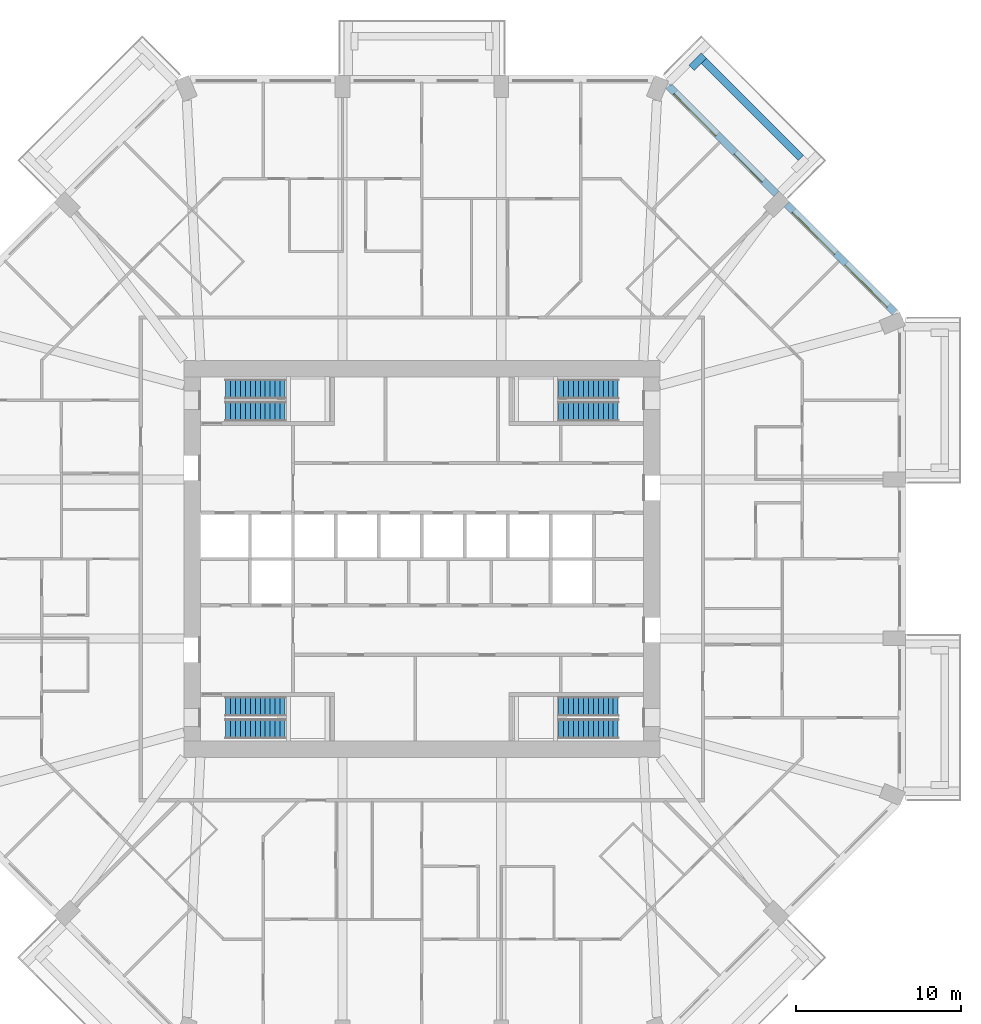
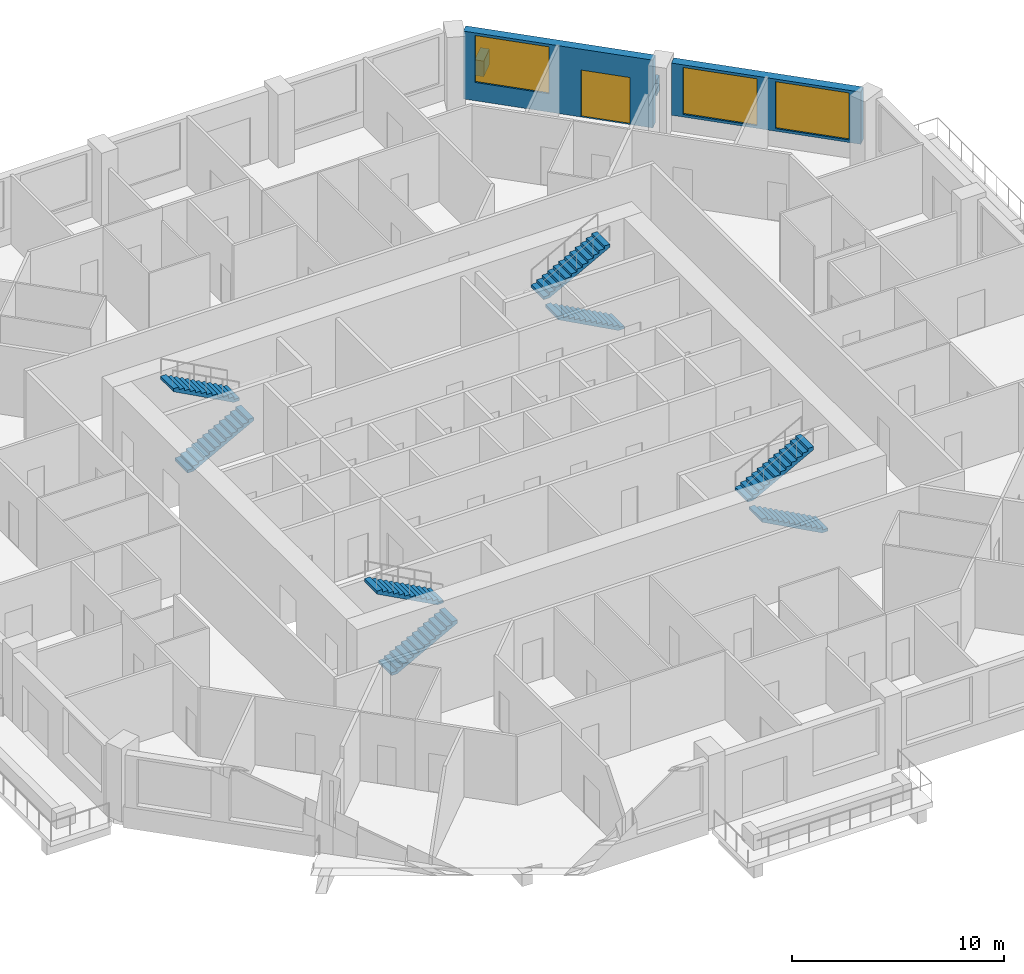
# One storey, part 11 of 13: 8 stair flights, 4 walls, 3 windows, 1 door, 4 openings, 4 elements without a shape of their own.
"""IFC4 building model written with IfcOpenShell, lengths in metres."""

from ifc_helpers import new_model, si_unit, direction, frame, frame_2d, origin, place, context, subcontext, project, spatial, polyline, rectangle, outline, extrude, material, layer, layer_set, type_object, element, fill, aggregate, save


model = new_model("IFC4")

# Units and contexts
model_context = context("Model", 3, precision=1e-05, world=origin(), true_north=direction((0.0, 1.0)))
body_context = subcontext(model_context, "Body", "Model", "MODEL_VIEW")
ifc_project = project(units=[si_unit("LENGTHUNIT", "METRE"), si_unit("AREAUNIT", "SQUARE_METRE"), si_unit("VOLUMEUNIT", "CUBIC_METRE"), si_unit("PLANEANGLEUNIT", "RADIAN"), si_unit("MASSUNIT", "GRAM", prefix="KILO")], contexts=[model_context])

# Site, building, storey
site_placement = place(None, origin())
site = spatial("IfcSite", under=ifc_project, at=site_placement, CompositionType="ELEMENT")
building_placement = place(site_placement, origin())
building = spatial("IfcBuilding", under=site, at=building_placement, Name="Msitu Wima Residences", CompositionType="ELEMENT")
storey_placement = place(building_placement, frame((0.0, 0.0, 29.699951171875)))
storey = spatial("IfcBuildingStorey", under=building, at=storey_placement, Name="L06", CompositionType="ELEMENT", Elevation=29.699951171875)

# Walls
ifc_material_1 = material(Name="Facing brick")
ifc_layer_1 = layer(ifc_material_1, 0.06494140625, Name="Facing brick")
ifc_material_2 = material(Name="Concrete C40/50", Category="concrete")
ifc_layer_2 = layer(ifc_material_2, 0.156005859375, Name="Concrete C40/50")
ifc_material_3 = material(Name="Waterproofing membrane")
ifc_layer_3 = layer(ifc_material_3, 0.00390625, Name="Waterproofing membrane")
ifc_material_4 = material(Name="Planting soil and planting")
ifc_layer_4 = layer(ifc_material_4, 0.22509765625, Name="Planting soil and planting")
ifc_layer_set_1 = layer_set([ifc_layer_1, ifc_layer_2, ifc_layer_3, ifc_layer_4], Name="Concrete C40/50")
wall_type_1 = type_object("IfcWallType", Name="Balcony planter PLANTER PL450", PredefinedType="USERDEFINED", material=ifc_layer_set_1)
wall_1_placement = place(storey_placement, frame((22.92578125, 24.269287109375, 0.0), z_axis=(0.0, 0.0, 1.0), x_axis=(-0.707106781187, 0.707106781187, 0.0)))
element("IfcWall", 1, at=wall_1_placement, inside=storey, type_object=wall_type_1, Name="Balcony planter NE1 L06", ObjectType="PLANTER", PredefinedType="USERDEFINED", context=body_context, shape_type="SweptSolid", body=[
    extrude(rectangle(XDim=8.2822265625, YDim=0.449951171875, at=frame_2d((4.14111328125, 0.0))), origin(), (0.0, 0.0, 1.0), 0.900146484375),
])
wall_2_placement = place(storey_placement, frame((16.326904296875, 29.70166015625, 0.0), z_axis=(0.0, 0.0, 1.0), x_axis=(0.707106781187, 0.707106781187, 0.0)))
element("IfcWall", 2, at=wall_2_placement, inside=storey, type_object=wall_type_1, Name="Balcony planter NE1 L06", ObjectType="PLANTER", PredefinedType="USERDEFINED", context=body_context, shape_type="SweptSolid", body=[
    extrude(rectangle(XDim=1.050048828125, YDim=0.449951171875, at=frame_2d((0.52490234375, 0.0))), origin(), (0.0, 0.0, 1.0), 0.900146484375),
])

# Wall, openings, windows
ifc_material_5 = material(Name="Brick (red buff mix)", Category="masonry")
ifc_layer_5 = layer(ifc_material_5, 0.449951171875)
ifc_layer_set_2 = layer_set([ifc_layer_5], Name="Brick (red buff mix)")
wall_type_2 = type_object("IfcWallType", Name="Brick infill wall BW450", PredefinedType="SOLIDWALL", material=ifc_layer_set_2)
wall_3_placement = place(storey_placement, frame((28.61474609375, 14.903564453125, 0.900146484375), z_axis=(0.0, 0.0, 1.0), x_axis=(-0.707106781187, 0.707106781187, 0.0)))
wall_3 = element("IfcWall", 3, at=wall_3_placement, inside=storey, type_object=wall_type_2, Name="Brick infill wall L06 NE0", PredefinedType="SOLIDWALL", context=body_context, shape_type="SweptSolid", body=[
    extrude(rectangle(XDim=9.2451171875, YDim=0.449951171875, at=frame_2d((4.62255859375, 0.0))), origin(), (0.0, 0.0, 1.0), 3.0),
])
opening_1_placement = place(wall_3_placement, frame((0.572509765625, 0.0, 0.14990234375)))
opening_1 = element("IfcOpeningElement", 4, at=opening_1_placement, cuts=wall_3, Name="Opening W05-07.010", PredefinedType="OPENING", context=body_context, shape_type="SweptSolid", body=[
    extrude(rectangle(XDim=3.60009765625, YDim=2.699951171875, at=frame_2d((1.800048828125, 1.35009765625))), frame((0.0, 0.23486328125, 0.0), z_axis=(0.0, -1.0, 0.0), x_axis=(1.0, 0.0, 0.0)), (0.0, 0.0, 1.0), 0.469970703125),
])
opening_2_placement = place(wall_3_placement, frame((5.072509765625, 0.0, 0.14990234375)))
opening_2 = element("IfcOpeningElement", 5, at=opening_2_placement, cuts=wall_3, Name="Opening W05-07.011", PredefinedType="OPENING", context=body_context, shape_type="SweptSolid", body=[
    extrude(rectangle(XDim=3.60009765625, YDim=2.699951171875, at=frame_2d((1.800048828125, 1.35009765625))), frame((0.0, 0.23486328125, 0.0), z_axis=(0.0, -1.0, 0.0), x_axis=(1.0, 0.0, 0.0)), (0.0, 0.0, 1.0), 0.469970703125),
])
ifc_material_6 = material(Name="Anodised aluminium, bronze finish, clear low-emissivity double glazing", Category="aluminium")
window_type = type_object("IfcWindowType", Name="Window W3600x2700", PartitioningType="DOUBLE_PANEL_VERTICAL", PredefinedType="WINDOW", material=ifc_material_6)
window_1_placement = place(opening_1_placement, origin())
window_1 = element("IfcWindow", 6, at=window_1_placement, inside=storey, type_object=window_type, Name="Window L06 NE0.1", OverallHeight=2.699951171875, OverallWidth=3.60009765625, PartitioningType="SINGLE_PANEL", PredefinedType="WINDOW", context=body_context, shape_type="SweptSolid", body=[
    extrude(rectangle(XDim=3.60009765625, YDim=2.699951171875, at=frame_2d((1.800048828125, 1.35009765625))), frame((0.0, 0.135009765625, 0.0), z_axis=(0.0, -1.0, 0.0), x_axis=(1.0, 0.0, 0.0)), (0.0, 0.0, 1.0), 0.06005859375),
])
fill(opening_1, window_1)
window_2_placement = place(opening_2_placement, origin())
window_2 = element("IfcWindow", 7, at=window_2_placement, inside=storey, type_object=window_type, Name="Window L06 NE0.2", OverallHeight=2.699951171875, OverallWidth=3.60009765625, PartitioningType="SINGLE_PANEL", PredefinedType="WINDOW", context=body_context, shape_type="SweptSolid", body=[
    extrude(rectangle(XDim=3.60009765625, YDim=2.699951171875, at=frame_2d((1.800048828125, 1.35009765625))), frame((0.0, 0.135009765625, 0.0), z_axis=(0.0, -1.0, 0.0), x_axis=(1.0, 0.0, 0.0)), (0.0, 0.0, 1.0), 0.06005859375),
])
fill(opening_2, window_2)

# Wall, openings, door, window
wall_4_placement = place(storey_placement, frame((21.44091796875, 22.077392578125, 0.0), z_axis=(0.0, 0.0, 1.0), x_axis=(-0.707106781187, 0.707106781187, 0.0)))
wall_4 = element("IfcWall", 8, at=wall_4_placement, inside=storey, type_object=wall_type_2, Name="Brick infill wall L06 NE1", PredefinedType="SOLIDWALL", context=body_context, shape_type="SweptSolid", body=[
    extrude(rectangle(XDim=9.2451171875, YDim=0.449951171875, at=frame_2d((4.62255859375, 0.0))), origin(), (0.0, 0.0, 1.0), 3.900146484375),
])
opening_3_placement = place(wall_4_placement, frame((1.111328125, 0.0, 0.0)))
opening_3 = element("IfcOpeningElement", 9, at=opening_3_placement, cuts=wall_4, Name="Opening D05-07.004", PredefinedType="OPENING", context=body_context, shape_type="SweptSolid", body=[
    extrude(rectangle(XDim=2.39990234375, YDim=2.699951171875, at=frame_2d((1.199951171875, 1.35009765625))), frame((0.0, 0.23486328125, 0.0), z_axis=(0.0, -1.0, 0.0), x_axis=(1.0, 0.0, 0.0)), (0.0, 0.0, 1.0), 0.469970703125),
])
opening_4_placement = place(wall_4_placement, frame((5.072509765625, 0.0, 1.050048828125)))
opening_4 = element("IfcOpeningElement", 10, at=opening_4_placement, cuts=wall_4, Name="Opening W05-07.012", PredefinedType="OPENING", context=body_context, shape_type="SweptSolid", body=[
    extrude(rectangle(XDim=3.60009765625, YDim=2.699951171875, at=frame_2d((1.800048828125, 1.35009765625))), frame((0.0, 0.23486328125, 0.0), z_axis=(0.0, -1.0, 0.0), x_axis=(1.0, 0.0, 0.0)), (0.0, 0.0, 1.0), 0.469970703125),
])
door_type = type_object("IfcDoorType", Name="Balcony door D2400x2700", OperationType="SLIDING_TO_LEFT", PredefinedType="DOOR", material=ifc_material_6)
door_placement = place(opening_3_placement, origin())
door = element("IfcDoor", 11, at=door_placement, inside=storey, type_object=door_type, Name="Balcony door L06 NE1", OperationType="SINGLE_SWING_LEFT", OverallHeight=2.699951171875, OverallWidth=2.39990234375, PredefinedType="DOOR", context=body_context, shape_type="SweptSolid", body=[
    extrude(rectangle(XDim=2.39990234375, YDim=2.699951171875, at=frame_2d((1.199951171875, 1.35009765625))), frame((0.0, 0.1298828125, 0.0), z_axis=(0.0, -1.0, 0.0), x_axis=(1.0, 0.0, 0.0)), (0.0, 0.0, 1.0), 0.050048828125),
])
fill(opening_3, door)
window_3_placement = place(opening_4_placement, origin())
window_3 = element("IfcWindow", 12, at=window_3_placement, inside=storey, type_object=window_type, Name="Window L06 NE1.2", OverallHeight=2.699951171875, OverallWidth=3.60009765625, PartitioningType="SINGLE_PANEL", PredefinedType="WINDOW", context=body_context, shape_type="SweptSolid", body=[
    extrude(rectangle(XDim=3.60009765625, YDim=2.699951171875, at=frame_2d((1.800048828125, 1.35009765625))), frame((0.0, 0.135009765625, 0.0), z_axis=(0.0, -1.0, 0.0), x_axis=(1.0, 0.0, 0.0)), (0.0, 0.0, 1.0), 0.06005859375),
])
fill(opening_4, window_3)

# Stair, stair flights
stair_type = type_object("IfcStairType", Name="Exit stair ES1615-120", PredefinedType="HALF_TURN_STAIR", material=ifc_material_2)
stair_1_placement = place(storey_placement, origin())
stair_1 = element("IfcStair", 13, at=stair_1_placement, inside=storey, type_object=stair_type, Name="Exit stair 1", PredefinedType="HALF_TURN_STAIR")
stair_flight_type = type_object("IfcStairFlightType", Name="Exit stair flight ES1615-120", PredefinedType="STRAIGHT", material=ifc_material_2)
stair_flight_1_placement = place(storey_placement, frame((-11.875, 8.925048828125, 0.0), z_axis=(0.0, 0.0, 1.0), x_axis=(1.0, 0.0, 0.0)))
stair_flight_1 = element("IfcStairFlight", 14, at=stair_flight_1_placement, type_object=stair_flight_type, Name="S1 flight 1", NumberOfRisers=13, NumberOfTreads=12, PredefinedType="STRAIGHT", RiserHeight=0.161538462, TreadLength=0.3, context=body_context, shape_type="SweptSolid", body=[
    extrude(outline(polyline([(0.0, 0.0), (0.0, 0.16162109375), (0.300048828125, 0.16162109375), (0.300048828125, 0.322998046875), (0.60009765625, 0.322998046875), (0.60009765625, 0.484619140625), (0.89990234375, 0.484619140625), (0.89990234375, 0.646240234375), (1.199951171875, 0.646240234375), (1.199951171875, 0.8076171875), (1.5, 0.8076171875), (1.5, 0.96923828125), (1.800048828125, 0.96923828125), (1.800048828125, 1.130859375), (2.10009765625, 1.130859375), (2.10009765625, 1.292236328125), (2.39990234375, 1.292236328125), (2.39990234375, 1.453857421875), (2.699951171875, 1.453857421875), (2.699951171875, 1.615478515625), (3.0, 1.615478515625), (3.0, 1.77685546875), (3.300048828125, 1.77685546875), (3.300048828125, 1.9384765625), (3.60009765625, 1.9384765625), (3.60009765625, 2.10009765625), (3.60009765625, 1.768310546875), (0.316162109375, 0.0), (0.0, 0.0)])), frame((0.0, 0.60009765625, 0.0), z_axis=(0.0, -1.0, 0.0), x_axis=(1.0, 0.0, 0.0)), (0.0, 0.0, 1.0), 1.199951171875),
])
stair_flight_2_placement = place(storey_placement, frame((-8.27490234375, 10.27490234375, 2.10009765625), z_axis=(0.0, 0.0, 1.0), x_axis=(-1.0, 0.0, 0.0)))
stair_flight_2 = element("IfcStairFlight", 15, at=stair_flight_2_placement, type_object=stair_flight_type, Name="S1 flight 2", NumberOfRisers=13, NumberOfTreads=12, PredefinedType="STRAIGHT", RiserHeight=0.161538462, TreadLength=0.3, context=body_context, shape_type="SweptSolid", body=[
    extrude(outline(polyline([(0.0, 0.0), (0.0, 0.16162109375), (0.300048828125, 0.16162109375), (0.300048828125, 0.322998046875), (0.60009765625, 0.322998046875), (0.60009765625, 0.484619140625), (0.89990234375, 0.484619140625), (0.89990234375, 0.646240234375), (1.199951171875, 0.646240234375), (1.199951171875, 0.8076171875), (1.5, 0.8076171875), (1.5, 0.96923828125), (1.800048828125, 0.96923828125), (1.800048828125, 1.130859375), (2.10009765625, 1.130859375), (2.10009765625, 1.292236328125), (2.39990234375, 1.292236328125), (2.39990234375, 1.453857421875), (2.699951171875, 1.453857421875), (2.699951171875, 1.615478515625), (3.0, 1.615478515625), (3.0, 1.77685546875), (3.300048828125, 1.77685546875), (3.300048828125, 1.9384765625), (3.60009765625, 1.9384765625), (3.60009765625, 2.10009765625), (3.60009765625, 1.768310546875), (0.316162109375, 0.0), (0.0, 0.0)])), frame((0.0, 0.60009765625, 0.0), z_axis=(0.0, -1.0, 0.0), x_axis=(1.0, 0.0, 0.0)), (0.0, 0.0, 1.0), 1.199951171875),
])
aggregate(stair_1, [stair_flight_1, stair_flight_2])

stair_2_placement = place(storey_placement, origin())
stair_2 = element("IfcStair", 16, at=stair_2_placement, inside=storey, type_object=stair_type, Name="Exit stair 2", PredefinedType="HALF_TURN_STAIR")
stair_flight_3_placement = place(storey_placement, frame((-11.875, -10.27490234375, 0.0), z_axis=(0.0, 0.0, 1.0), x_axis=(1.0, 0.0, 0.0)))
stair_flight_3 = element("IfcStairFlight", 17, at=stair_flight_3_placement, type_object=stair_flight_type, Name="S2 flight 1", NumberOfRisers=13, NumberOfTreads=12, PredefinedType="STRAIGHT", RiserHeight=0.161538462, TreadLength=0.3, context=body_context, shape_type="SweptSolid", body=[
    extrude(outline(polyline([(0.0, 0.0), (0.0, 0.16162109375), (0.300048828125, 0.16162109375), (0.300048828125, 0.322998046875), (0.60009765625, 0.322998046875), (0.60009765625, 0.484619140625), (0.89990234375, 0.484619140625), (0.89990234375, 0.646240234375), (1.199951171875, 0.646240234375), (1.199951171875, 0.8076171875), (1.5, 0.8076171875), (1.5, 0.96923828125), (1.800048828125, 0.96923828125), (1.800048828125, 1.130859375), (2.10009765625, 1.130859375), (2.10009765625, 1.292236328125), (2.39990234375, 1.292236328125), (2.39990234375, 1.453857421875), (2.699951171875, 1.453857421875), (2.699951171875, 1.615478515625), (3.0, 1.615478515625), (3.0, 1.77685546875), (3.300048828125, 1.77685546875), (3.300048828125, 1.9384765625), (3.60009765625, 1.9384765625), (3.60009765625, 2.10009765625), (3.60009765625, 1.768310546875), (0.316162109375, 0.0), (0.0, 0.0)])), frame((0.0, 0.60009765625, 0.0), z_axis=(0.0, -1.0, 0.0), x_axis=(1.0, 0.0, 0.0)), (0.0, 0.0, 1.0), 1.199951171875),
])
stair_flight_4_placement = place(storey_placement, frame((-8.27490234375, -8.925048828125, 2.10009765625), z_axis=(0.0, 0.0, 1.0), x_axis=(-1.0, 0.0, 0.0)))
stair_flight_4 = element("IfcStairFlight", 18, at=stair_flight_4_placement, type_object=stair_flight_type, Name="S2 flight 2", NumberOfRisers=13, NumberOfTreads=12, PredefinedType="STRAIGHT", RiserHeight=0.161538462, TreadLength=0.3, context=body_context, shape_type="SweptSolid", body=[
    extrude(outline(polyline([(0.0, 0.0), (0.0, 0.16162109375), (0.300048828125, 0.16162109375), (0.300048828125, 0.322998046875), (0.60009765625, 0.322998046875), (0.60009765625, 0.484619140625), (0.89990234375, 0.484619140625), (0.89990234375, 0.646240234375), (1.199951171875, 0.646240234375), (1.199951171875, 0.8076171875), (1.5, 0.8076171875), (1.5, 0.96923828125), (1.800048828125, 0.96923828125), (1.800048828125, 1.130859375), (2.10009765625, 1.130859375), (2.10009765625, 1.292236328125), (2.39990234375, 1.292236328125), (2.39990234375, 1.453857421875), (2.699951171875, 1.453857421875), (2.699951171875, 1.615478515625), (3.0, 1.615478515625), (3.0, 1.77685546875), (3.300048828125, 1.77685546875), (3.300048828125, 1.9384765625), (3.60009765625, 1.9384765625), (3.60009765625, 2.10009765625), (3.60009765625, 1.768310546875), (0.316162109375, 0.0), (0.0, 0.0)])), frame((0.0, 0.60009765625, 0.0), z_axis=(0.0, -1.0, 0.0), x_axis=(1.0, 0.0, 0.0)), (0.0, 0.0, 1.0), 1.199951171875),
])
aggregate(stair_2, [stair_flight_3, stair_flight_4])

stair_3_placement = place(storey_placement, origin())
stair_3 = element("IfcStair", 19, at=stair_3_placement, inside=storey, type_object=stair_type, Name="Exit stair 3", PredefinedType="HALF_TURN_STAIR")
stair_flight_5_placement = place(storey_placement, frame((11.875, 8.925048828125, 0.0), z_axis=(0.0, 0.0, 1.0), x_axis=(-1.0, 0.0, 0.0)))
stair_flight_5 = element("IfcStairFlight", 20, at=stair_flight_5_placement, type_object=stair_flight_type, Name="S3 flight 1", NumberOfRisers=13, NumberOfTreads=12, PredefinedType="STRAIGHT", RiserHeight=0.161538462, TreadLength=0.3, context=body_context, shape_type="SweptSolid", body=[
    extrude(outline(polyline([(0.0, 0.0), (0.0, 0.16162109375), (0.300048828125, 0.16162109375), (0.300048828125, 0.322998046875), (0.60009765625, 0.322998046875), (0.60009765625, 0.484619140625), (0.89990234375, 0.484619140625), (0.89990234375, 0.646240234375), (1.199951171875, 0.646240234375), (1.199951171875, 0.8076171875), (1.5, 0.8076171875), (1.5, 0.96923828125), (1.800048828125, 0.96923828125), (1.800048828125, 1.130859375), (2.10009765625, 1.130859375), (2.10009765625, 1.292236328125), (2.39990234375, 1.292236328125), (2.39990234375, 1.453857421875), (2.699951171875, 1.453857421875), (2.699951171875, 1.615478515625), (3.0, 1.615478515625), (3.0, 1.77685546875), (3.300048828125, 1.77685546875), (3.300048828125, 1.9384765625), (3.60009765625, 1.9384765625), (3.60009765625, 2.10009765625), (3.60009765625, 1.768310546875), (0.316162109375, 0.0), (0.0, 0.0)])), frame((0.0, 0.60009765625, 0.0), z_axis=(0.0, -1.0, 0.0), x_axis=(1.0, 0.0, 0.0)), (0.0, 0.0, 1.0), 1.199951171875),
])
stair_flight_6_placement = place(storey_placement, frame((8.27490234375, 10.27490234375, 2.10009765625), z_axis=(0.0, 0.0, 1.0), x_axis=(1.0, 0.0, 0.0)))
stair_flight_6 = element("IfcStairFlight", 21, at=stair_flight_6_placement, type_object=stair_flight_type, Name="S3 flight 2", NumberOfRisers=13, NumberOfTreads=12, PredefinedType="STRAIGHT", RiserHeight=0.161538462, TreadLength=0.3, context=body_context, shape_type="SweptSolid", body=[
    extrude(outline(polyline([(0.0, 0.0), (0.0, 0.16162109375), (0.300048828125, 0.16162109375), (0.300048828125, 0.322998046875), (0.60009765625, 0.322998046875), (0.60009765625, 0.484619140625), (0.89990234375, 0.484619140625), (0.89990234375, 0.646240234375), (1.199951171875, 0.646240234375), (1.199951171875, 0.8076171875), (1.5, 0.8076171875), (1.5, 0.96923828125), (1.800048828125, 0.96923828125), (1.800048828125, 1.130859375), (2.10009765625, 1.130859375), (2.10009765625, 1.292236328125), (2.39990234375, 1.292236328125), (2.39990234375, 1.453857421875), (2.699951171875, 1.453857421875), (2.699951171875, 1.615478515625), (3.0, 1.615478515625), (3.0, 1.77685546875), (3.300048828125, 1.77685546875), (3.300048828125, 1.9384765625), (3.60009765625, 1.9384765625), (3.60009765625, 2.10009765625), (3.60009765625, 1.768310546875), (0.316162109375, 0.0), (0.0, 0.0)])), frame((0.0, 0.60009765625, 0.0), z_axis=(0.0, -1.0, 0.0), x_axis=(1.0, 0.0, 0.0)), (0.0, 0.0, 1.0), 1.199951171875),
])
aggregate(stair_3, [stair_flight_5, stair_flight_6])

stair_4_placement = place(storey_placement, origin())
stair_4 = element("IfcStair", 22, at=stair_4_placement, inside=storey, type_object=stair_type, Name="Exit stair 4", PredefinedType="HALF_TURN_STAIR")
stair_flight_7_placement = place(storey_placement, frame((11.875, -10.27490234375, 0.0), z_axis=(0.0, 0.0, 1.0), x_axis=(-1.0, 0.0, 0.0)))
stair_flight_7 = element("IfcStairFlight", 23, at=stair_flight_7_placement, type_object=stair_flight_type, Name="S4 flight 1", NumberOfRisers=13, NumberOfTreads=12, PredefinedType="STRAIGHT", RiserHeight=0.161538462, TreadLength=0.3, context=body_context, shape_type="SweptSolid", body=[
    extrude(outline(polyline([(0.0, 0.0), (0.0, 0.16162109375), (0.300048828125, 0.16162109375), (0.300048828125, 0.322998046875), (0.60009765625, 0.322998046875), (0.60009765625, 0.484619140625), (0.89990234375, 0.484619140625), (0.89990234375, 0.646240234375), (1.199951171875, 0.646240234375), (1.199951171875, 0.8076171875), (1.5, 0.8076171875), (1.5, 0.96923828125), (1.800048828125, 0.96923828125), (1.800048828125, 1.130859375), (2.10009765625, 1.130859375), (2.10009765625, 1.292236328125), (2.39990234375, 1.292236328125), (2.39990234375, 1.453857421875), (2.699951171875, 1.453857421875), (2.699951171875, 1.615478515625), (3.0, 1.615478515625), (3.0, 1.77685546875), (3.300048828125, 1.77685546875), (3.300048828125, 1.9384765625), (3.60009765625, 1.9384765625), (3.60009765625, 2.10009765625), (3.60009765625, 1.768310546875), (0.316162109375, 0.0), (0.0, 0.0)])), frame((0.0, 0.60009765625, 0.0), z_axis=(0.0, -1.0, 0.0), x_axis=(1.0, 0.0, 0.0)), (0.0, 0.0, 1.0), 1.199951171875),
])
stair_flight_8_placement = place(storey_placement, frame((8.27490234375, -8.925048828125, 2.10009765625), z_axis=(0.0, 0.0, 1.0), x_axis=(1.0, 0.0, 0.0)))
stair_flight_8 = element("IfcStairFlight", 24, at=stair_flight_8_placement, type_object=stair_flight_type, Name="S4 flight 2", NumberOfRisers=13, NumberOfTreads=12, PredefinedType="STRAIGHT", RiserHeight=0.161538462, TreadLength=0.3, context=body_context, shape_type="SweptSolid", body=[
    extrude(outline(polyline([(0.0, 0.0), (0.0, 0.16162109375), (0.300048828125, 0.16162109375), (0.300048828125, 0.322998046875), (0.60009765625, 0.322998046875), (0.60009765625, 0.484619140625), (0.89990234375, 0.484619140625), (0.89990234375, 0.646240234375), (1.199951171875, 0.646240234375), (1.199951171875, 0.8076171875), (1.5, 0.8076171875), (1.5, 0.96923828125), (1.800048828125, 0.96923828125), (1.800048828125, 1.130859375), (2.10009765625, 1.130859375), (2.10009765625, 1.292236328125), (2.39990234375, 1.292236328125), (2.39990234375, 1.453857421875), (2.699951171875, 1.453857421875), (2.699951171875, 1.615478515625), (3.0, 1.615478515625), (3.0, 1.77685546875), (3.300048828125, 1.77685546875), (3.300048828125, 1.9384765625), (3.60009765625, 1.9384765625), (3.60009765625, 2.10009765625), (3.60009765625, 1.768310546875), (0.316162109375, 0.0), (0.0, 0.0)])), frame((0.0, 0.60009765625, 0.0), z_axis=(0.0, -1.0, 0.0), x_axis=(1.0, 0.0, 0.0)), (0.0, 0.0, 1.0), 1.199951171875),
])
aggregate(stair_4, [stair_flight_7, stair_flight_8])

save(model, "model.ifc")
